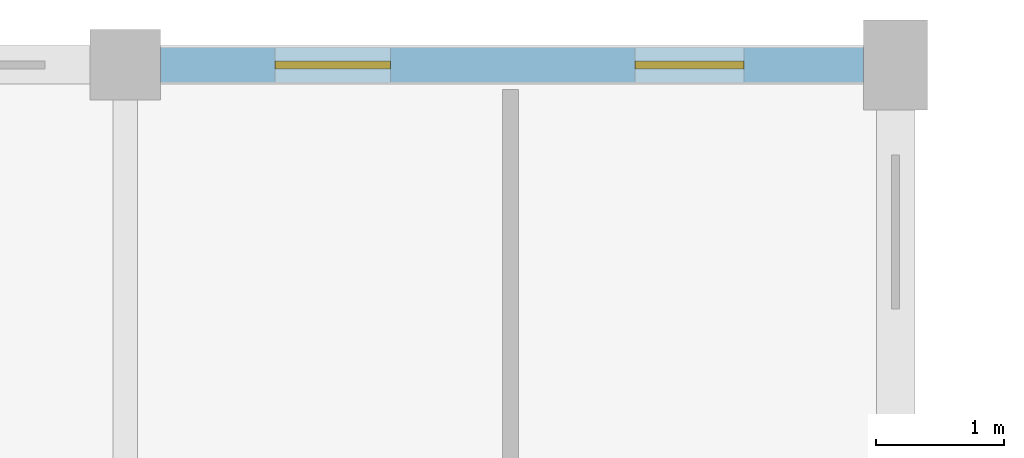
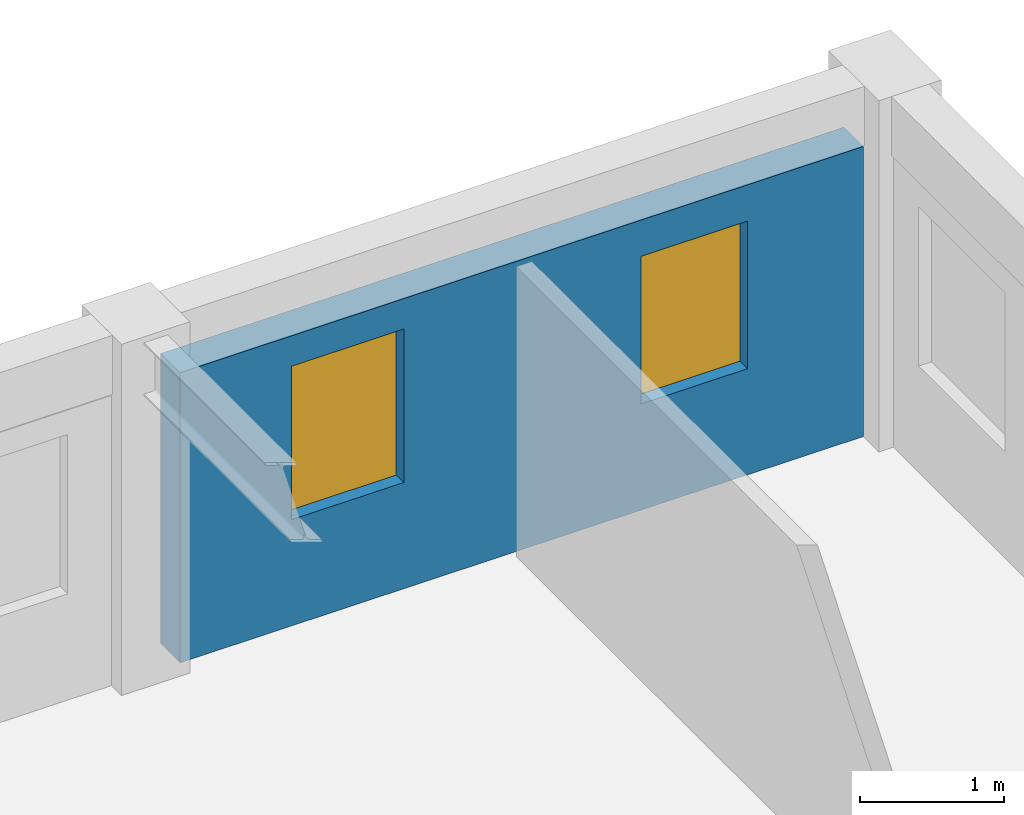
# One storey, part 18 of 28: 2 windows, 1 wall, 2 openings.
"""IFC4 building model written with IfcOpenShell, lengths in metres."""

from ifc_helpers import new_model, si_unit, direction, frame, frame_2d, origin, place, context, subcontext, project, spatial, rectangle, extrude, material, layer, layer_set, type_object, element, fill, save


model = new_model("IFC4")

# Units and contexts
model_context = context("Model", 3, precision=1e-05, world=origin(), true_north=direction((0.0, 1.0)))
body_context = subcontext(model_context, "Body", "Model", "MODEL_VIEW")
ifc_project = project(units=[si_unit("LENGTHUNIT", "METRE"), si_unit("AREAUNIT", "SQUARE_METRE"), si_unit("VOLUMEUNIT", "CUBIC_METRE"), si_unit("PLANEANGLEUNIT", "RADIAN"), si_unit("MASSUNIT", "GRAM", prefix="KILO"), si_unit("POWERUNIT", "WATT"), si_unit("THERMODYNAMICTEMPERATUREUNIT", "KELVIN")], contexts=[model_context])

# Site, building, storey
site_placement = place(None, origin())
site = spatial("IfcSite", under=ifc_project, at=site_placement, CompositionType="ELEMENT")
building_placement = place(site_placement, origin())
building = spatial("IfcBuilding", under=site, at=building_placement, Name="Ruvembo Vaulted Housing Court", CompositionType="ELEMENT")
storey_placement = place(building_placement, frame((0.0, 0.0, 23.699951171875)))
storey = spatial("IfcBuildingStorey", under=building, at=storey_placement, Name="L07", CompositionType="ELEMENT", Elevation=23.699951171875)

# Wall, openings, windows
ifc_material_1 = material(Name="Rendered Masonry 270", Category="masonry")
ifc_layer = layer(ifc_material_1, 0.27001953125, Name="Rendered Masonry 270")
ifc_layer_set = layer_set([ifc_layer], Name="Rendered Masonry 270")
wall_type = type_object("IfcWallType", Name="WL-EXT-270", PredefinedType="STANDARD", material=ifc_layer_set)
wall_placement = place(storey_placement, frame((77.75, 114.0, 0.0), z_axis=(0.0, 0.0, 1.0), x_axis=(-1.0, 0.0, 0.0)))
wall = element("IfcWall", 1, at=wall_placement, inside=storey, type_object=wall_type, Name="Block B L07 Exterior Wall STREET #1", PredefinedType="STANDARD", context=body_context, shape_type="SweptSolid", body=[
    extrude(rectangle(XDim=5.47509765625, YDim=0.27001953125, at=frame_2d((2.737548828125, 0.0))), origin(), (0.0, 0.0, 1.0), 2.45703125),
])
opening_1_placement = place(wall_placement, frame((0.929931640625, 0.0, 0.89990234375)))
opening_1 = element("IfcOpeningElement", 2, at=opening_1_placement, cuts=wall, Name="Opening W03", PredefinedType="OPENING", context=body_context, shape_type="SweptSolid", body=[
    extrude(rectangle(XDim=0.85009765625, YDim=1.25, at=frame_2d((0.425048828125, 0.625))), frame((0.0, 0.14501953125, 0.0), z_axis=(0.0, -1.0, 0.0), x_axis=(1.0, 0.0, 0.0)), (0.0, 0.0, 1.0), 0.2900390625),
])
opening_2_placement = place(wall_placement, frame((3.6826171875, 0.0, 0.89990234375)))
opening_2 = element("IfcOpeningElement", 3, at=opening_2_placement, cuts=wall, Name="Opening W04", PredefinedType="OPENING", context=body_context, shape_type="SweptSolid", body=[
    extrude(rectangle(XDim=0.89990234375, YDim=1.300048828125, at=frame_2d((0.449951171875, 0.64990234375))), frame((0.0, 0.14501953125, 0.0), z_axis=(0.0, -1.0, 0.0), x_axis=(1.0, 0.0, 0.0)), (0.0, 0.0, 1.0), 0.2900390625),
])
ifc_material_2 = material(Name="Double Solar-Control Glazing in Aluminium Frame", Category="aluminium")
window_type_1 = type_object("IfcWindowType", Name="WIN-0850x1250", PartitioningType="SINGLE_PANEL", PredefinedType="WINDOW", material=ifc_material_2)
window_1_placement = place(opening_1_placement, origin())
window_1 = element("IfcWindow", 4, at=window_1_placement, inside=storey, type_object=window_type_1, Name="Block B L07 Window #925", OverallHeight=1.25, OverallWidth=0.85009765625, PartitioningType="SINGLE_PANEL", PredefinedType="WINDOW", context=body_context, shape_type="SweptSolid", body=[
    extrude(rectangle(XDim=0.85009765625, YDim=1.25, at=frame_2d((0.425048828125, 0.625))), frame((0.0, 0.030029296875, 0.0), z_axis=(0.0, -1.0, 0.0), x_axis=(1.0, 0.0, 0.0)), (0.0, 0.0, 1.0), 0.06005859375),
])
fill(opening_1, window_1)
window_type_2 = type_object("IfcWindowType", Name="WIN-0900x1300", PartitioningType="SINGLE_PANEL", PredefinedType="WINDOW", material=ifc_material_2)
window_2_placement = place(opening_2_placement, origin())
window_2 = element("IfcWindow", 5, at=window_2_placement, inside=storey, type_object=window_type_2, Name="Block B L07 Window #926", OverallHeight=1.300048828125, OverallWidth=0.89990234375, PartitioningType="SINGLE_PANEL", PredefinedType="WINDOW", context=body_context, shape_type="SweptSolid", body=[
    extrude(rectangle(XDim=0.89990234375, YDim=1.300048828125, at=frame_2d((0.449951171875, 0.64990234375))), frame((0.0, 0.030029296875, 0.0), z_axis=(0.0, -1.0, 0.0), x_axis=(1.0, 0.0, 0.0)), (0.0, 0.0, 1.0), 0.06005859375),
])
fill(opening_2, window_2)

save(model, "model.ifc")
